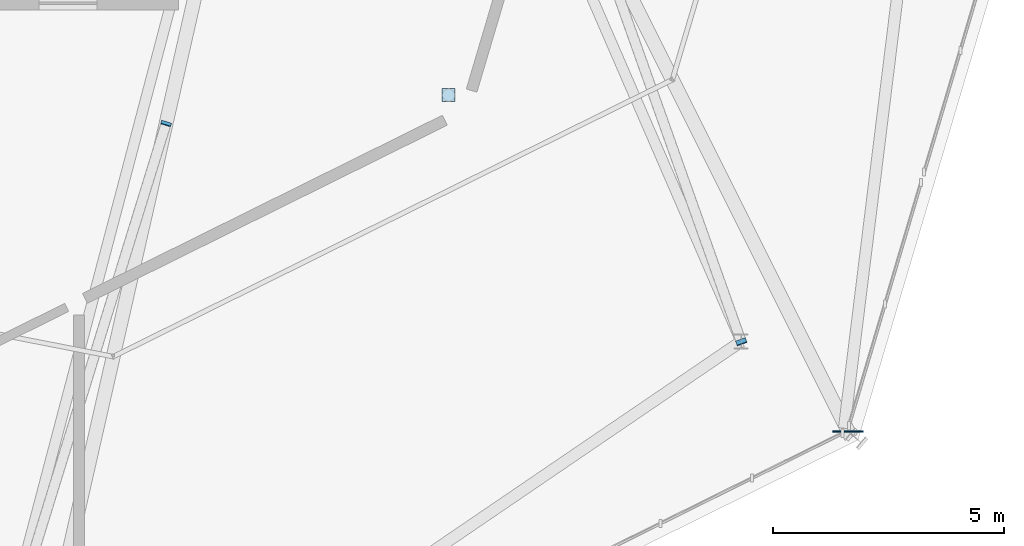
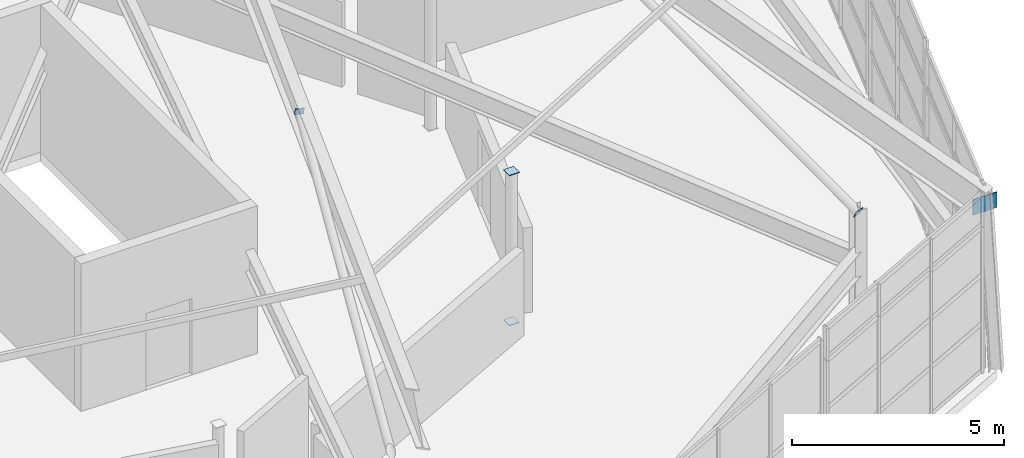
# One storey, part 32 of 50: 5 plates.
"""IFC4 building model written with IfcOpenShell, lengths in metres."""

from ifc_helpers import new_model, si_unit, direction, frame, origin, origin_2d, place, context, subcontext, project, spatial, rectangle, extrude, material, layer, layer_set, type_object, element, save


model = new_model("IFC4")

# Units and contexts
model_context = context("Model", 3, precision=1e-05, world=origin(), true_north=direction((0.0, 1.0)))
body_context = subcontext(model_context, "Body", "Model", "MODEL_VIEW")
ifc_project = project(units=[si_unit("LENGTHUNIT", "METRE"), si_unit("AREAUNIT", "SQUARE_METRE"), si_unit("VOLUMEUNIT", "CUBIC_METRE"), si_unit("PLANEANGLEUNIT", "RADIAN"), si_unit("MASSUNIT", "GRAM", prefix="KILO")], contexts=[model_context])

# Site, building, storey
site_placement = place(None, origin())
site = spatial("IfcSite", under=ifc_project, at=site_placement, CompositionType="ELEMENT")
building_placement = place(site_placement, origin())
building = spatial("IfcBuilding", under=site, at=building_placement, Name="Sarnbrook Museum", CompositionType="ELEMENT")
storey_placement = place(building_placement, frame((0.0, 0.0, 28.10009765625)))
storey = spatial("IfcBuildingStorey", under=building, at=storey_placement, Name="L05", CompositionType="ELEMENT", Elevation=28.10009765625)

# Plates
ifc_material = material(Name="Structural Steel Grade 350L0 (AS/NZS 3678, fy = 340 MPa for 20 < t <= 40 mm)", Category="steel")
ifc_layer_1 = layer(ifc_material, 0.01611328125)
ifc_layer_set_1 = layer_set([ifc_layer_1], Name="Structural Steel Grade 350L0 (AS/NZS 3678, fy = 340 MPa for 20 < t <= 40 mm)")
plate_type_1 = type_object("IfcPlateType", Name="EndCapPlate_CAP219", PredefinedType="USERDEFINED", material=ifc_layer_set_1)
for number, where, z_axis, x_axis, name in (
    (1, (145.923828125, 77.73388671875, 8.544921875), (0.280308297332, 0.908303162297, 0.310503822533), (-0.955533128625, 0.294883773884, 0.0), "Hollow End Cap Plate CRTR:WEB:2-2"),
    (2, (158.397705078125, 73.002197265625, 4.14306640625), (-0.301623282471, 0.850464017272, 0.430969083342), (-0.942481613709, -0.334257995897, 0.0), "Hollow End Cap Plate CRTR:WEB:3-1"),
):
    element("IfcPlate", number, at=place(storey_placement, frame(where, z_axis=z_axis, x_axis=x_axis)), inside=storey, type_object=plate_type_1, Name=name, ObjectType="END CAP PLATE", PredefinedType="USERDEFINED", context=body_context, shape_type="SweptSolid", body=[
        extrude(rectangle(XDim=0.22509765625, YDim=0.22509765625, at=origin_2d()), origin(), (0.0, 0.0, 1.0), 0.01611328125),
    ])
ifc_layer_2 = layer(ifc_material, 0.01611328125)
ifc_layer_set_2 = layer_set([ifc_layer_2], Name="Structural Steel Grade 350L0 (AS/NZS 3678, fy = 340 MPa for 20 < t <= 40 mm)")
plate_type_2 = type_object("IfcPlateType", Name="EndCapPlate_CAP273", PredefinedType="USERDEFINED", material=ifc_layer_set_2)
for number, where, z_axis, x_axis, name in (
    (3, (152.05029296875, 78.356201171875, -0.01611328125), (0.0, 0.0, 1.0), (1.0, 0.0, 0.0), "Hollow End Cap Plate COL:L05:V1R2-2-1"),
    (4, (152.05029296875, 78.356201171875, 4.2998046875), (0.0, 0.0, 1.0), (1.0, 0.0, 0.0), "Hollow End Cap Plate COL:L05:V1R2-2-2"),
):
    element("IfcPlate", number, at=place(storey_placement, frame(where, z_axis=z_axis, x_axis=x_axis)), inside=storey, type_object=plate_type_2, Name=name, ObjectType="END CAP PLATE", PredefinedType="USERDEFINED", context=body_context, shape_type="SweptSolid", body=[
        extrude(rectangle(XDim=0.280029296875, YDim=0.280029296875, at=origin_2d()), origin(), (0.0, 0.0, 1.0), 0.01611328125),
    ])
ifc_layer_3 = layer(ifc_material, 0.028076171875)
ifc_layer_set_3 = layer_set([ifc_layer_3], Name="Structural Steel Grade 350L0 (AS/NZS 3678, fy = 340 MPa for 20 < t <= 40 mm)")
plate_type_3 = type_object("IfcPlateType", Name="GussetPlate_KN5", PredefinedType="USERDEFINED", material=ifc_layer_set_3)
plate_placement = place(storey_placement, frame((160.713623046875, 71.061767578125, 4.550048828125), z_axis=(0.0, 0.0, 1.0), x_axis=(1.0, 0.0, 0.0)))
element("IfcPlate", 5, at=plate_placement, inside=storey, type_object=plate_type_3, Name="Crystal Roof Eaves Node Plate KN5-3", ObjectType="GUSSET PLATE", PredefinedType="USERDEFINED", context=body_context, shape_type="SweptSolid", body=[
    extrude(rectangle(XDim=0.659912109375, YDim=0.028076171875, at=origin_2d()), origin(), (0.0, 0.0, 1.0), 0.43994140625),
])

save(model, "model.ifc")
